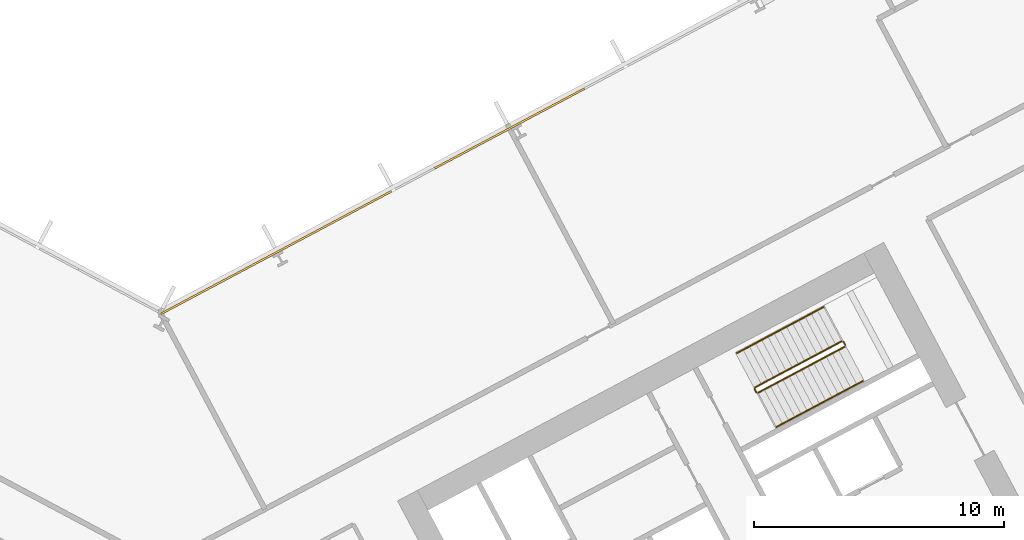
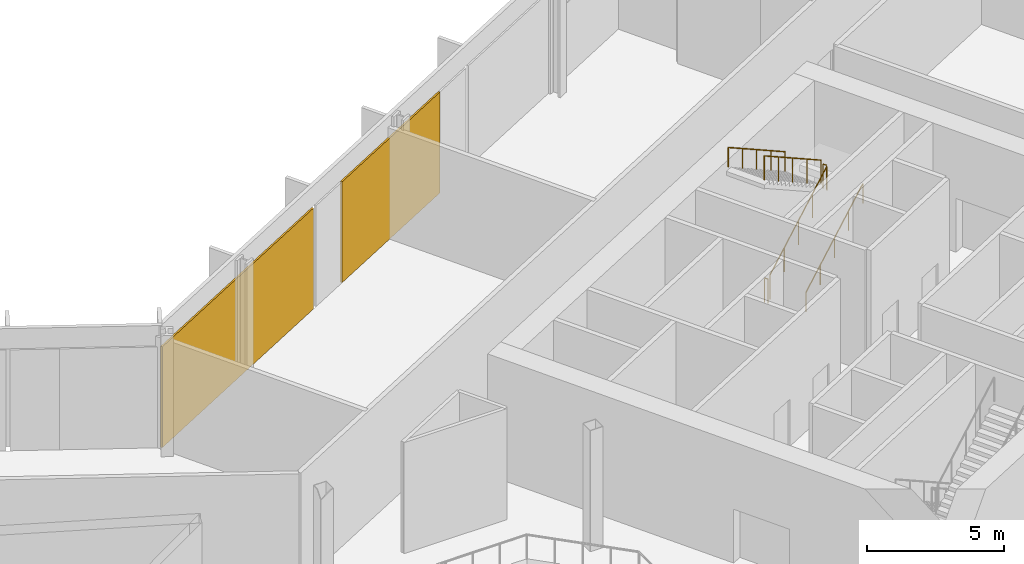
# One storey, part 29 of 31: 6 railings, 2 coverings, 1 element without a shape of its own.
"""IFC4 building model written with IfcOpenShell, lengths in metres."""

from ifc_helpers import new_model, si_unit, direction, frame, origin, origin_2d, place, context, subcontext, project, spatial, polyline, rectangle, outline, extrude, material, layer, layer_set, type_object, element, aggregate, save


model = new_model("IFC4")

# Units and contexts
model_context = context("Model", 3, precision=1e-05, world=origin(), true_north=direction((0.0, 1.0)))
body_context = subcontext(model_context, "Body", "Model", "MODEL_VIEW")
ifc_project = project(units=[si_unit("LENGTHUNIT", "METRE"), si_unit("AREAUNIT", "SQUARE_METRE"), si_unit("VOLUMEUNIT", "CUBIC_METRE"), si_unit("PLANEANGLEUNIT", "RADIAN"), si_unit("MASSUNIT", "GRAM", prefix="KILO")], contexts=[model_context])

# Site, building, storey
site_placement = place(None, origin())
site = spatial("IfcSite", under=ifc_project, at=site_placement, CompositionType="ELEMENT")
building_placement = place(site_placement, origin())
building = spatial("IfcBuilding", under=site, at=building_placement, Name="Cormorant Relay Tower", CompositionType="ELEMENT")
storey_placement = place(building_placement, frame((0.0, 0.0, 33.800048828125)))
storey = spatial("IfcBuildingStorey", under=building, at=storey_placement, Name="L06", CompositionType="ELEMENT", Elevation=33.800048828125)

# Curtain wall, coverings
ifc_material_1 = material(Name="Aluminium 6063-T6 anodised bronze", Category="aluminium")
ifc_layer_1 = layer(ifc_material_1, 0.235107421875)
ifc_layer_set_1 = layer_set([ifc_layer_1], Name="CW6 data hall curtain wall with mineral wool panels")
curtain_wall_type = type_object("IfcCurtainWallType", Name="CW6 data hall curtain wall with mineral wool panels", PredefinedType="NOTDEFINED", material=ifc_layer_set_1)
curtain_wall_placement = place(storey_placement, origin())
curtain_wall = element("IfcCurtainWall", 1, at=curtain_wall_placement, inside=storey, type_object=curtain_wall_type, Name="CW6 curtain wall 6", PredefinedType="NOTDEFINED")
ifc_material_2 = material(Name="Mineral wool cored anodised bronze aluminium cassette panel", Category="aluminium")
ifc_layer_2 = layer(ifc_material_2, 0.074951171875)
ifc_layer_set_2 = layer_set([ifc_layer_2], Name="CW6 mineral wool cassette panel 75")
covering_type = type_object("IfcCoveringType", Name="CW6 mineral wool cassette panel 75", PredefinedType="CLADDING", material=ifc_layer_set_2)
covering_1_placement = place(storey_placement, frame((13.9091796875, 31.221923828125, 0.0), z_axis=(0.0, 0.0, 1.0), x_axis=(-0.882947592859, -0.469471562786, 0.0)))
covering_1 = element("IfcCovering", 2, at=covering_1_placement, type_object=covering_type, Name="CW6 panel S07", PredefinedType="CLADDING", context=body_context, shape_type="SweptSolid", body=[
    extrude(rectangle(XDim=6.765380859375, YDim=0.074951171875, at=origin_2d()), origin(), (0.0, 0.0, 1.0), 4.5),
])
covering_2_placement = place(storey_placement, frame((4.591552734375, 26.267822265625, 0.0), z_axis=(0.0, 0.0, 1.0), x_axis=(-0.882947592859, -0.469471562786, 0.0)))
covering_2 = element("IfcCovering", 3, at=covering_2_placement, type_object=covering_type, Name="CW6 panel S09", PredefinedType="CLADDING", context=body_context, shape_type="SweptSolid", body=[
    extrude(rectangle(XDim=10.440185546875, YDim=0.074951171875, at=origin_2d()), origin(), (0.0, 0.0, 1.0), 4.5),
])
aggregate(curtain_wall, [covering_1, covering_2])

# Railings
ifc_material_3 = material(Name="Steel ASTM A572 Grade 50 (Fy 345 MPa)", Category="steel")
railing_type_1 = type_object("IfcRailingType", Name="Stair guard 1100", PredefinedType="GUARDRAIL", material=ifc_material_3)
railing_1_placement = place(storey_placement, frame((23.8408203125, 20.6611328125, 0.179931640625)))
element("IfcRailing", 4, at=railing_1_placement, inside=storey, type_object=railing_type_1, Name="L06 B2 stair guard 1", PredefinedType="GUARDRAIL", context=body_context, shape_type="SweptSolid", body=[
    extrude(outline(polyline([(0.022216796875, 0.00927734375), (0.00927734375, 0.022216796875), (-0.00927734375, 0.022216796875), (-0.022216796875, 0.00927734375), (-0.022216796875, -0.00927734375), (-0.00927734375, -0.022216796875), (0.00927734375, -0.022216796875), (0.022216796875, -0.00927734375), (0.022216796875, 0.00927734375)])), frame((0.0, 0.0, 1.076171875), z_axis=(0.74271721126, 0.394907409077, 0.540758062681), x_axis=(-0.469469396681, 0.882948744594, 0.0)), (0.0, 0.0, 1.0), 4.66015625),
    extrude(outline(polyline([(0.019287109375, 0.008056640625), (0.008056640625, 0.019287109375), (-0.008056640625, 0.019287109375), (-0.019287109375, 0.008056640625), (-0.019287109375, -0.008056640625), (-0.008056640625, -0.019287109375), (0.008056640625, -0.019287109375), (0.019287109375, -0.008056640625), (0.019287109375, 0.008056640625)])), origin(), (0.0, 0.0, 1.0), 1.052001953125),
    extrude(outline(polyline([(0.019287109375, 0.008056640625), (0.008056640625, 0.019287109375), (-0.008056640625, 0.019287109375), (-0.019287109375, 0.008056640625), (-0.019287109375, -0.008056640625), (-0.008056640625, -0.019287109375), (0.008056640625, -0.019287109375), (0.019287109375, -0.008056640625), (0.019287109375, 0.008056640625)])), frame((0.865234375, 0.4599609375, 0.6298828125)), (0.0, 0.0, 1.0), 1.052001953125),
    extrude(outline(polyline([(0.019287109375, 0.008056640625), (0.008056640625, 0.019287109375), (-0.008056640625, 0.019287109375), (-0.019287109375, 0.008056640625), (-0.019287109375, -0.008056640625), (-0.008056640625, -0.019287109375), (0.008056640625, -0.019287109375), (0.019287109375, -0.008056640625), (0.019287109375, 0.008056640625)])), frame((1.73046875, 0.920166015625, 1.260009765625)), (0.0, 0.0, 1.0), 1.052001953125),
    extrude(outline(polyline([(0.019287109375, 0.008056640625), (0.008056640625, 0.019287109375), (-0.008056640625, 0.019287109375), (-0.019287109375, 0.008056640625), (-0.019287109375, -0.008056640625), (-0.008056640625, -0.019287109375), (0.008056640625, -0.019287109375), (0.019287109375, -0.008056640625), (0.019287109375, 0.008056640625)])), frame((2.595947265625, 1.38037109375, 1.89013671875)), (0.0, 0.0, 1.0), 1.052001953125),
    extrude(outline(polyline([(0.019287109375, 0.008056640625), (0.008056640625, 0.019287109375), (-0.008056640625, 0.019287109375), (-0.019287109375, 0.008056640625), (-0.019287109375, -0.008056640625), (-0.008056640625, -0.019287109375), (0.008056640625, -0.019287109375), (0.019287109375, -0.008056640625), (0.019287109375, 0.008056640625)])), frame((3.461181640625, 1.84033203125, 2.52001953125)), (0.0, 0.0, 1.0), 1.052001953125),
])
railing_2_placement = place(storey_placement, frame((27.32275390625, 22.569091796875, 2.699951171875)))
element("IfcRailing", 5, at=railing_2_placement, inside=storey, type_object=railing_type_1, Name="L06 B2 stair guard 2", PredefinedType="GUARDRAIL", context=body_context, shape_type="SweptSolid", body=[
    extrude(outline(polyline([(0.022216796875, 0.00927734375), (0.00927734375, 0.022216796875), (-0.00927734375, 0.022216796875), (-0.022216796875, 0.00927734375), (-0.022216796875, -0.00927734375), (-0.00927734375, -0.022216796875), (0.00927734375, -0.022216796875), (0.022216796875, -0.00927734375), (0.022216796875, 0.00927734375)])), frame((0.0, 0.0, 1.076171875), z_axis=(-0.470503732759, 0.882398003998, 0.0), x_axis=(-0.882398003998, -0.470503732759, 0.0)), (0.0, 0.0, 1.0), 0.14990234375),
    extrude(outline(polyline([(0.019287109375, 0.008056640625), (0.008056640625, 0.019287109375), (-0.008056640625, 0.019287109375), (-0.019287109375, 0.008056640625), (-0.019287109375, -0.008056640625), (-0.008056640625, -0.019287109375), (0.008056640625, -0.019287109375), (0.019287109375, -0.008056640625), (0.019287109375, 0.008056640625)])), origin(), (0.0, 0.0, 1.0), 1.052001953125),
    extrude(outline(polyline([(0.019287109375, 0.008056640625), (0.008056640625, 0.019287109375), (-0.008056640625, 0.019287109375), (-0.019287109375, 0.008056640625), (-0.019287109375, -0.008056640625), (-0.008056640625, -0.019287109375), (0.008056640625, -0.019287109375), (0.019287109375, -0.008056640625), (0.019287109375, 0.008056640625)])), frame((-0.070556640625, 0.13232421875, 0.0)), (0.0, 0.0, 1.0), 1.052001953125),
])
railing_3_placement = place(storey_placement, frame((27.1845703125, 22.72216796875, 2.8798828125)))
element("IfcRailing", 6, at=railing_3_placement, inside=storey, type_object=railing_type_1, Name="L06 B2 stair guard 3", PredefinedType="GUARDRAIL", context=body_context, shape_type="SweptSolid", body=[
    extrude(outline(polyline([(0.022216796875, 0.00927734375), (0.00927734375, 0.022216796875), (-0.00927734375, 0.022216796875), (-0.022216796875, 0.00927734375), (-0.022216796875, -0.00927734375), (-0.00927734375, -0.022216796875), (0.00927734375, -0.022216796875), (0.022216796875, -0.00927734375), (0.022216796875, 0.00927734375)])), frame((0.0, 0.0, 1.076171875), z_axis=(-0.74271721126, -0.394907409077, 0.540758062681), x_axis=(0.469469396681, -0.882948744594, 0.0)), (0.0, 0.0, 1.0), 4.66015625),
    extrude(outline(polyline([(0.019287109375, 0.008056640625), (0.008056640625, 0.019287109375), (-0.008056640625, 0.019287109375), (-0.019287109375, 0.008056640625), (-0.019287109375, -0.008056640625), (-0.008056640625, -0.019287109375), (0.008056640625, -0.019287109375), (0.019287109375, -0.008056640625), (0.019287109375, 0.008056640625)])), origin(), (0.0, 0.0, 1.0), 1.052001953125),
    extrude(outline(polyline([(0.019287109375, 0.008056640625), (0.008056640625, 0.019287109375), (-0.008056640625, 0.019287109375), (-0.019287109375, 0.008056640625), (-0.019287109375, -0.008056640625), (-0.008056640625, -0.019287109375), (0.008056640625, -0.019287109375), (0.019287109375, -0.008056640625), (0.019287109375, 0.008056640625)])), frame((-0.865234375, -0.4599609375, 0.6298828125)), (0.0, 0.0, 1.0), 1.052001953125),
    extrude(outline(polyline([(0.019287109375, 0.008056640625), (0.008056640625, 0.019287109375), (-0.008056640625, 0.019287109375), (-0.019287109375, 0.008056640625), (-0.019287109375, -0.008056640625), (-0.008056640625, -0.019287109375), (0.008056640625, -0.019287109375), (0.019287109375, -0.008056640625), (0.019287109375, 0.008056640625)])), frame((-1.73046875, -0.920166015625, 1.260009765625)), (0.0, 0.0, 1.0), 1.052001953125),
    extrude(outline(polyline([(0.019287109375, 0.008056640625), (0.008056640625, 0.019287109375), (-0.008056640625, 0.019287109375), (-0.019287109375, 0.008056640625), (-0.019287109375, -0.008056640625), (-0.008056640625, -0.019287109375), (0.008056640625, -0.019287109375), (0.019287109375, -0.008056640625), (0.019287109375, 0.008056640625)])), frame((-2.595947265625, -1.38037109375, 1.89013671875)), (0.0, 0.0, 1.0), 1.052001953125),
    extrude(outline(polyline([(0.019287109375, 0.008056640625), (0.008056640625, 0.019287109375), (-0.008056640625, 0.019287109375), (-0.019287109375, 0.008056640625), (-0.019287109375, -0.008056640625), (-0.008056640625, -0.019287109375), (0.008056640625, -0.019287109375), (0.019287109375, -0.008056640625), (0.019287109375, 0.008056640625)])), frame((-3.461181640625, -1.84033203125, 2.52001953125)), (0.0, 0.0, 1.0), 1.052001953125),
])
railing_4_placement = place(storey_placement, frame((23.773193359375, 20.681640625, 0.0)))
element("IfcRailing", 7, at=railing_4_placement, inside=storey, type_object=railing_type_1, Name="L06 B2 stair guard 4", PredefinedType="GUARDRAIL", context=body_context, shape_type="SweptSolid", body=[
    extrude(outline(polyline([(0.022216796875, 0.00927734375), (0.00927734375, 0.022216796875), (-0.00927734375, 0.022216796875), (-0.022216796875, 0.00927734375), (-0.022216796875, -0.00927734375), (-0.00927734375, -0.022216796875), (0.00927734375, -0.022216796875), (0.022216796875, -0.00927734375), (0.022216796875, 0.00927734375)])), frame((0.0, 0.0, 1.076171875), z_axis=(-0.46856034887, 0.8834314911, 0.0), x_axis=(-0.8834314911, -0.46856034887, 0.0)), (0.0, 0.0, 1.0), 0.150146484375),
    extrude(outline(polyline([(0.019287109375, 0.008056640625), (0.008056640625, 0.019287109375), (-0.008056640625, 0.019287109375), (-0.019287109375, 0.008056640625), (-0.019287109375, -0.008056640625), (-0.008056640625, -0.019287109375), (0.008056640625, -0.019287109375), (0.019287109375, -0.008056640625), (0.019287109375, 0.008056640625)])), origin(), (0.0, 0.0, 1.0), 1.052001953125),
    extrude(outline(polyline([(0.019287109375, 0.008056640625), (0.008056640625, 0.019287109375), (-0.008056640625, 0.019287109375), (-0.019287109375, 0.008056640625), (-0.019287109375, -0.008056640625), (-0.008056640625, -0.019287109375), (0.008056640625, -0.019287109375), (0.019287109375, -0.008056640625), (0.019287109375, 0.008056640625)])), frame((-0.0703125, 0.132568359375, 0.0)), (0.0, 0.0, 1.0), 1.052001953125),
])
ifc_material_4 = material(Name="Steel ASTM A572 Grade 50 (Fy 345 MPa)", Category="steel")
railing_type_2 = type_object("IfcRailingType", Name="Stair handrail 900", PredefinedType="HANDRAIL", material=ifc_material_4)
railing_5_placement = place(storey_placement, frame((24.568603515625, 19.29248046875, 0.179931640625)))
element("IfcRailing", 8, at=railing_5_placement, inside=storey, type_object=railing_type_2, Name="L06 B2 stair handrail 1", PredefinedType="HANDRAIL", context=body_context, shape_type="SweptSolid", body=[
    extrude(outline(polyline([(0.022216796875, 0.00927734375), (0.00927734375, 0.022216796875), (-0.00927734375, 0.022216796875), (-0.022216796875, 0.00927734375), (-0.022216796875, -0.00927734375), (-0.00927734375, -0.022216796875), (0.00927734375, -0.022216796875), (0.022216796875, -0.00927734375), (0.022216796875, 0.00927734375)])), frame((0.0, 0.0, 0.8759765625), z_axis=(0.74271721126, 0.394907409077, 0.540758062681), x_axis=(-0.469469396681, 0.882948744594, 0.0)), (0.0, 0.0, 1.0), 4.66015625),
    extrude(outline(polyline([(0.019287109375, 0.008056640625), (0.008056640625, 0.019287109375), (-0.008056640625, 0.019287109375), (-0.019287109375, 0.008056640625), (-0.019287109375, -0.008056640625), (-0.008056640625, -0.019287109375), (0.008056640625, -0.019287109375), (0.019287109375, -0.008056640625), (0.019287109375, 0.008056640625)])), origin(), (0.0, 0.0, 1.0), 0.851806640625),
    extrude(outline(polyline([(0.019287109375, 0.008056640625), (0.008056640625, 0.019287109375), (-0.008056640625, 0.019287109375), (-0.019287109375, 0.008056640625), (-0.019287109375, -0.008056640625), (-0.008056640625, -0.019287109375), (0.008056640625, -0.019287109375), (0.019287109375, -0.008056640625), (0.019287109375, 0.008056640625)])), frame((0.865234375, 0.4599609375, 0.6298828125)), (0.0, 0.0, 1.0), 0.851806640625),
    extrude(outline(polyline([(0.019287109375, 0.008056640625), (0.008056640625, 0.019287109375), (-0.008056640625, 0.019287109375), (-0.019287109375, 0.008056640625), (-0.019287109375, -0.008056640625), (-0.008056640625, -0.019287109375), (0.008056640625, -0.019287109375), (0.019287109375, -0.008056640625), (0.019287109375, 0.008056640625)])), frame((1.73046875, 0.920166015625, 1.260009765625)), (0.0, 0.0, 1.0), 0.851806640625),
    extrude(outline(polyline([(0.019287109375, 0.008056640625), (0.008056640625, 0.019287109375), (-0.008056640625, 0.019287109375), (-0.019287109375, 0.008056640625), (-0.019287109375, -0.008056640625), (-0.008056640625, -0.019287109375), (0.008056640625, -0.019287109375), (0.019287109375, -0.008056640625), (0.019287109375, 0.008056640625)])), frame((2.595947265625, 1.38037109375, 1.89013671875)), (0.0, 0.0, 1.0), 0.851806640625),
    extrude(outline(polyline([(0.019287109375, 0.008056640625), (0.008056640625, 0.019287109375), (-0.008056640625, 0.019287109375), (-0.019287109375, 0.008056640625), (-0.019287109375, -0.008056640625), (-0.008056640625, -0.019287109375), (0.008056640625, -0.019287109375), (0.019287109375, -0.008056640625), (0.019287109375, 0.008056640625)])), frame((3.461181640625, 1.84033203125, 2.52001953125)), (0.0, 0.0, 1.0), 0.851806640625),
])
railing_6_placement = place(storey_placement, frame((26.45703125, 24.090576171875, 2.8798828125)))
element("IfcRailing", 9, at=railing_6_placement, inside=storey, type_object=railing_type_2, Name="L06 B2 stair handrail 2", PredefinedType="HANDRAIL", context=body_context, shape_type="SweptSolid", body=[
    extrude(outline(polyline([(0.022216796875, 0.00927734375), (0.00927734375, 0.022216796875), (-0.00927734375, 0.022216796875), (-0.022216796875, 0.00927734375), (-0.022216796875, -0.00927734375), (-0.00927734375, -0.022216796875), (0.00927734375, -0.022216796875), (0.022216796875, -0.00927734375), (0.022216796875, 0.00927734375)])), frame((0.0, 0.0, 0.8759765625), z_axis=(-0.74271721126, -0.394907409077, 0.540758062681), x_axis=(0.469469396681, -0.882948744594, 0.0)), (0.0, 0.0, 1.0), 4.66015625),
    extrude(outline(polyline([(0.019287109375, 0.008056640625), (0.008056640625, 0.019287109375), (-0.008056640625, 0.019287109375), (-0.019287109375, 0.008056640625), (-0.019287109375, -0.008056640625), (-0.008056640625, -0.019287109375), (0.008056640625, -0.019287109375), (0.019287109375, -0.008056640625), (0.019287109375, 0.008056640625)])), origin(), (0.0, 0.0, 1.0), 0.851806640625),
    extrude(outline(polyline([(0.019287109375, 0.008056640625), (0.008056640625, 0.019287109375), (-0.008056640625, 0.019287109375), (-0.019287109375, 0.008056640625), (-0.019287109375, -0.008056640625), (-0.008056640625, -0.019287109375), (0.008056640625, -0.019287109375), (0.019287109375, -0.008056640625), (0.019287109375, 0.008056640625)])), frame((-0.865234375, -0.4599609375, 0.6298828125)), (0.0, 0.0, 1.0), 0.851806640625),
    extrude(outline(polyline([(0.019287109375, 0.008056640625), (0.008056640625, 0.019287109375), (-0.008056640625, 0.019287109375), (-0.019287109375, 0.008056640625), (-0.019287109375, -0.008056640625), (-0.008056640625, -0.019287109375), (0.008056640625, -0.019287109375), (0.019287109375, -0.008056640625), (0.019287109375, 0.008056640625)])), frame((-1.73046875, -0.920166015625, 1.260009765625)), (0.0, 0.0, 1.0), 0.851806640625),
    extrude(outline(polyline([(0.019287109375, 0.008056640625), (0.008056640625, 0.019287109375), (-0.008056640625, 0.019287109375), (-0.019287109375, 0.008056640625), (-0.019287109375, -0.008056640625), (-0.008056640625, -0.019287109375), (0.008056640625, -0.019287109375), (0.019287109375, -0.008056640625), (0.019287109375, 0.008056640625)])), frame((-2.595947265625, -1.38037109375, 1.89013671875)), (0.0, 0.0, 1.0), 0.851806640625),
    extrude(outline(polyline([(0.019287109375, 0.008056640625), (0.008056640625, 0.019287109375), (-0.008056640625, 0.019287109375), (-0.019287109375, 0.008056640625), (-0.019287109375, -0.008056640625), (-0.008056640625, -0.019287109375), (0.008056640625, -0.019287109375), (0.019287109375, -0.008056640625), (0.019287109375, 0.008056640625)])), frame((-3.461181640625, -1.84033203125, 2.52001953125)), (0.0, 0.0, 1.0), 0.851806640625),
])

save(model, "model.ifc")
